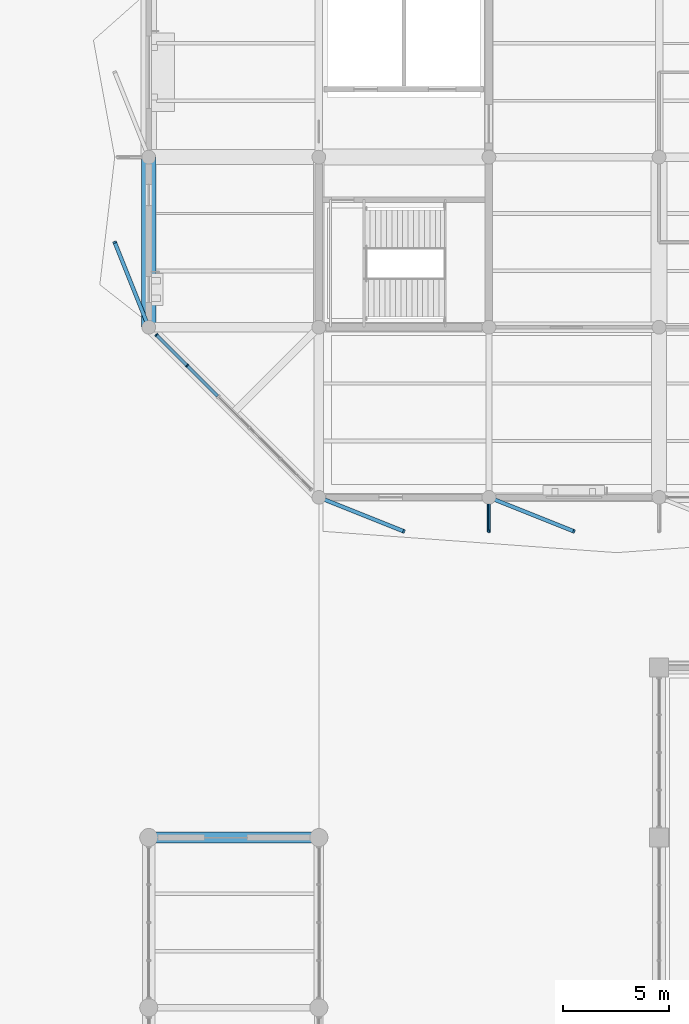
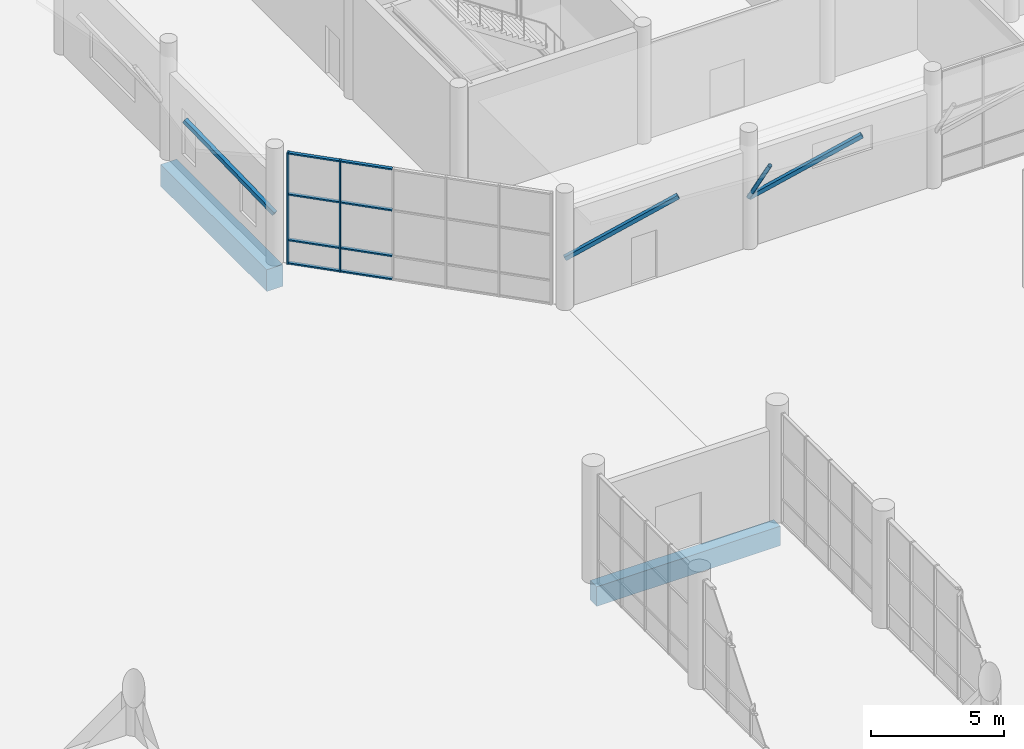
# One storey, part 44 of 123: 14 members, 2 beams, 1 element without a shape of its own.
"""IFC4 building model written with IfcOpenShell, lengths in metres."""

from ifc_helpers import new_model, si_unit, direction, frame, origin, origin_2d, place, context, subcontext, project, spatial, rectangle, hollow_rectangle, hollow_circle, extrude, material, material_profile, profile_set, type_object, element, aggregate, save


model = new_model("IFC4")

# Units and contexts
model_context = context("Model", 3, precision=1e-05, world=origin(), true_north=direction((0.0, 1.0)))
body_context = subcontext(model_context, "Body", "Model", "MODEL_VIEW")
ifc_project = project(units=[si_unit("LENGTHUNIT", "METRE"), si_unit("AREAUNIT", "SQUARE_METRE"), si_unit("VOLUMEUNIT", "CUBIC_METRE"), si_unit("PLANEANGLEUNIT", "RADIAN"), si_unit("MASSUNIT", "GRAM", prefix="KILO")], contexts=[model_context])

# Site, building, storey
site_placement = place(None, origin())
site = spatial("IfcSite", under=ifc_project, at=site_placement, CompositionType="ELEMENT")
building_placement = place(site_placement, origin())
building = spatial("IfcBuilding", under=site, at=building_placement, Name="Tenunan Teduh Sports Hall", CompositionType="ELEMENT")
storey_placement = place(building_placement, origin())
storey = spatial("IfcBuildingStorey", under=building, at=storey_placement, Name="L00", CompositionType="ELEMENT", Elevation=0.0)

# Beams
ifc_material_1 = material(Name="Concrete C40/50", Category="concrete")
ifc_material_profile_1 = material_profile(ifc_material_1, rectangle(XDim=0.5, YDim=0.89990234375, at=origin_2d()), Name="RCB 500x900")
ifc_profile_set_1 = profile_set([ifc_material_profile_1], Name="Concrete C40/50")
beam_type_1 = type_object("IfcBeamType", Name="BM-RC-500x900", PredefinedType="BEAM", material=ifc_profile_set_1)
beam_1_placement = place(storey_placement, frame((98.0, 70.0, -0.72998046875), z_axis=(1.0, 0.0, 0.0), x_axis=(0.0, 1.0, 0.0)))
element("IfcBeam", 1, at=beam_1_placement, inside=storey, type_object=beam_type_1, Name="BM-B-15-L00-0672", PredefinedType="BEAM", context=body_context, shape_type="SweptSolid", body=[
    extrude(rectangle(XDim=0.5, YDim=0.89990234375, at=origin_2d()), origin(), (0.0, 0.0, 1.0), 8.0),
])
ifc_material_2 = material(Name="Concrete C40/50", Category="concrete")
ifc_material_profile_2 = material_profile(ifc_material_2, rectangle(XDim=0.699951171875, YDim=1.0, at=origin_2d()), Name="RCB 700x1000")
ifc_profile_set_2 = profile_set([ifc_material_profile_2], Name="Concrete C40/50")
beam_type_2 = type_object("IfcBeamType", Name="BM-RC-700x1000", PredefinedType="SPANDREL", material=ifc_profile_set_2)
beam_2_placement = place(storey_placement, frame((98.0, 94.0, -0.780029296875), z_axis=(0.0, 1.0, 0.0), x_axis=(-1.0, 0.0, 0.0)))
element("IfcBeam", 2, at=beam_2_placement, inside=storey, type_object=beam_type_2, Name="BM-B-19-L00-0832", PredefinedType="SPANDREL", context=body_context, shape_type="SweptSolid", body=[
    extrude(rectangle(XDim=0.699951171875, YDim=1.0, at=origin_2d()), origin(), (0.0, 0.0, 1.0), 8.0),
])

# Curtain wall, members
ifc_material_3 = material(Name="Anodised aluminium", Category="aluminium")
curtain_wall_type = type_object("IfcCurtainWallType", Name="CW-UNIT-1", PredefinedType="NOTDEFINED", material=ifc_material_3)
curtain_wall_placement = place(storey_placement, origin())
curtain_wall = element("IfcCurtainWall", 3, at=curtain_wall_placement, inside=storey, type_object=curtain_wall_type, Name="CW-CWM-175-L00-242", PredefinedType="NOTDEFINED")
ifc_material_4 = material(Name="Anodised aluminium", Category="aluminium")
ifc_material_profile_3 = material_profile(ifc_material_4, rectangle(XDim=0.06494140625, YDim=0.175048828125, at=origin_2d()), Name="CWM 65x175")
ifc_profile_set_3 = profile_set([ifc_material_profile_3], Name="Anodised aluminium")
member_type_1 = type_object("IfcMemberType", Name="CWM-175", PredefinedType="MULLION", material=ifc_profile_set_3)
member_1_placement = place(storey_placement, frame((98.3642578125, 93.6357421875, 0.0), z_axis=(0.0, 0.0, 1.0), x_axis=(-0.707106781187, 0.707106781187, 0.0)))
member_1 = element("IfcMember", 4, at=member_1_placement, type_object=member_type_1, Name="CW-01 mullion 1", PredefinedType="MULLION", context=body_context, shape_type="SweptSolid", body=[
    extrude(rectangle(XDim=0.06494140625, YDim=0.175048828125, at=origin_2d()), origin(), (0.0, 0.0, 1.0), 5.1201171875),
])
member_2_placement = place(storey_placement, frame((99.8046875, 92.1953125, 0.0), z_axis=(0.0, 0.0, 1.0), x_axis=(-0.707106781187, 0.707106781187, 0.0)))
member_2 = element("IfcMember", 5, at=member_2_placement, type_object=member_type_1, Name="CW-01 mullion 2", PredefinedType="MULLION", context=body_context, shape_type="SweptSolid", body=[
    extrude(rectangle(XDim=0.06494140625, YDim=0.175048828125, at=origin_2d()), origin(), (0.0, 0.0, 1.0), 5.1201171875),
])
ifc_material_5 = material(Name="Anodised aluminium", Category="aluminium")
ifc_material_profile_4 = material_profile(ifc_material_5, rectangle(XDim=0.06494140625, YDim=0.139892578125, at=origin_2d()), Name="CWT 65x140")
ifc_profile_set_4 = profile_set([ifc_material_profile_4], Name="Anodised aluminium")
member_type_2 = type_object("IfcMemberType", Name="CWT-150", PredefinedType="USERDEFINED", material=ifc_profile_set_4)
member_3_placement = place(storey_placement, frame((98.38720703125, 93.61279296875, 0.032470703125), z_axis=(0.707106781187, -0.707106781187, 0.0), x_axis=(0.0, 0.0, 1.0)))
member_3 = element("IfcMember", 6, at=member_3_placement, type_object=member_type_2, Name="CW-01 transom 1.1", ObjectType="TRANSOM", PredefinedType="USERDEFINED", context=body_context, shape_type="SweptSolid", body=[
    extrude(rectangle(XDim=0.06494140625, YDim=0.139892578125, at=origin_2d()), origin(), (0.0, 0.0, 1.0), 1.97216796875),
])
member_4_placement = place(storey_placement, frame((98.38720703125, 93.61279296875, 1.10009765625), z_axis=(0.707106781187, -0.707106781187, 0.0), x_axis=(0.0, 0.0, 1.0)))
member_4 = element("IfcMember", 7, at=member_4_placement, type_object=member_type_2, Name="CW-01 transom 1.2", ObjectType="TRANSOM", PredefinedType="USERDEFINED", context=body_context, shape_type="SweptSolid", body=[
    extrude(rectangle(XDim=0.06494140625, YDim=0.139892578125, at=origin_2d()), origin(), (0.0, 0.0, 1.0), 1.97216796875),
])
member_5_placement = place(storey_placement, frame((98.38720703125, 93.61279296875, 3.199951171875), z_axis=(0.707106781187, -0.707106781187, 0.0), x_axis=(0.0, 0.0, 1.0)))
member_5 = element("IfcMember", 8, at=member_5_placement, type_object=member_type_2, Name="CW-01 transom 1.3", ObjectType="TRANSOM", PredefinedType="USERDEFINED", context=body_context, shape_type="SweptSolid", body=[
    extrude(rectangle(XDim=0.06494140625, YDim=0.139892578125, at=origin_2d()), origin(), (0.0, 0.0, 1.0), 1.97216796875),
])
member_6_placement = place(storey_placement, frame((98.38720703125, 93.61279296875, 5.08740234375), z_axis=(0.707106781187, -0.707106781187, 0.0), x_axis=(0.0, 0.0, 1.0)))
member_6 = element("IfcMember", 9, at=member_6_placement, type_object=member_type_2, Name="CW-01 transom 1.4", ObjectType="TRANSOM", PredefinedType="USERDEFINED", context=body_context, shape_type="SweptSolid", body=[
    extrude(rectangle(XDim=0.06494140625, YDim=0.139892578125, at=origin_2d()), origin(), (0.0, 0.0, 1.0), 1.97216796875),
])
member_7_placement = place(storey_placement, frame((99.827880859375, 92.172119140625, 0.032470703125), z_axis=(0.707106781187, -0.707106781187, 0.0), x_axis=(0.0, 0.0, 1.0)))
member_7 = element("IfcMember", 10, at=member_7_placement, type_object=member_type_2, Name="CW-01 transom 2.1", ObjectType="TRANSOM", PredefinedType="USERDEFINED", context=body_context, shape_type="SweptSolid", body=[
    extrude(rectangle(XDim=0.06494140625, YDim=0.139892578125, at=origin_2d()), origin(), (0.0, 0.0, 1.0), 2.004638671875),
])
member_8_placement = place(storey_placement, frame((99.827880859375, 92.172119140625, 1.10009765625), z_axis=(0.707106781187, -0.707106781187, 0.0), x_axis=(0.0, 0.0, 1.0)))
member_8 = element("IfcMember", 11, at=member_8_placement, type_object=member_type_2, Name="CW-01 transom 2.2", ObjectType="TRANSOM", PredefinedType="USERDEFINED", context=body_context, shape_type="SweptSolid", body=[
    extrude(rectangle(XDim=0.06494140625, YDim=0.139892578125, at=origin_2d()), origin(), (0.0, 0.0, 1.0), 2.004638671875),
])
member_9_placement = place(storey_placement, frame((99.827880859375, 92.172119140625, 3.199951171875), z_axis=(0.707106781187, -0.707106781187, 0.0), x_axis=(0.0, 0.0, 1.0)))
member_9 = element("IfcMember", 12, at=member_9_placement, type_object=member_type_2, Name="CW-01 transom 2.3", ObjectType="TRANSOM", PredefinedType="USERDEFINED", context=body_context, shape_type="SweptSolid", body=[
    extrude(rectangle(XDim=0.06494140625, YDim=0.139892578125, at=origin_2d()), origin(), (0.0, 0.0, 1.0), 2.004638671875),
])
member_10_placement = place(storey_placement, frame((99.827880859375, 92.172119140625, 5.08740234375), z_axis=(0.707106781187, -0.707106781187, 0.0), x_axis=(0.0, 0.0, 1.0)))
member_10 = element("IfcMember", 13, at=member_10_placement, type_object=member_type_2, Name="CW-01 transom 2.4", ObjectType="TRANSOM", PredefinedType="USERDEFINED", context=body_context, shape_type="SweptSolid", body=[
    extrude(rectangle(XDim=0.06494140625, YDim=0.139892578125, at=origin_2d()), origin(), (0.0, 0.0, 1.0), 2.004638671875),
])
aggregate(curtain_wall, [member_1, member_2, member_3, member_4, member_5, member_6, member_7, member_8, member_9, member_10])

# Members
ifc_material_6 = material(Name="Steel S355", Category="steel")
ifc_material_profile_5 = material_profile(ifc_material_6, hollow_circle(Radius=0.084228515625, WallThickness=0.008056640625, at=origin_2d()), Name="CHS 168.3x8.0")
ifc_profile_set_5 = profile_set([ifc_material_profile_5], Name="Steel S355")
member_type_3 = type_object("IfcMemberType", Name="MEM-BR-CHS168", PredefinedType="BRACE", material=ifc_profile_set_5)
member_11_placement = place(storey_placement, frame((114.0, 86.0, 2.199951171875), z_axis=(0.0, -0.551511423487, 0.834167339186), x_axis=(1.0, 0.0, 0.0)))
element("IfcMember", 14, at=member_11_placement, inside=storey, type_object=member_type_3, Name="MEM-GD-04-L00-1149", PredefinedType="BRACE", context=body_context, shape_type="SweptSolid", body=[
    extrude(hollow_circle(Radius=0.084228515625, WallThickness=0.008056640625, at=origin_2d()), origin(), (0.0, 0.0, 1.0), 2.9013671875),
])
ifc_material_7 = material(Name="Steel S355", Category="steel")
ifc_material_profile_6 = material_profile(ifc_material_7, hollow_rectangle(XDim=0.179931640625, YDim=0.179931640625, WallThickness=0.010009765625, at=origin_2d()), Name="SHS 180x180x10.0")
ifc_profile_set_6 = profile_set([ifc_material_profile_6], Name="Steel S355")
member_type_4 = type_object("IfcMemberType", Name="MEM-ST-SHS180", PredefinedType="STRUT", material=ifc_profile_set_6)
for number, where, z_axis, x_axis, name in (
    (15, (106.0, 86.0, 2.199951171875), (0.809485829099, -0.323814094477, 0.489772523429), (0.37141021739, 0.928468874232, 0.0), "MEM-VS-03-L00-1148"),
    (16, (114.0, 86.0, 2.199951171875), (0.809485829099, -0.323814094477, 0.489772523429), (0.37141021739, 0.928468874232, 0.0), "MEM-VS-03-L00-1152"),
    (17, (98.0, 94.0, 2.199951171875), (-0.323814094477, 0.809485829099, 0.489772523429), (-0.928468874232, -0.37141021739, 0.0), "MEM-VS-03-L00-1170"),
):
    element("IfcMember", number, at=place(storey_placement, frame(where, z_axis=z_axis, x_axis=x_axis)), inside=storey, type_object=member_type_4, Name=name, PredefinedType="STRUT", context=body_context, shape_type="SweptSolid", body=[
        extrude(hollow_rectangle(XDim=0.179931640625, YDim=0.179931640625, WallThickness=0.010009765625, at=origin_2d()), origin(), (0.0, 0.0, 1.0), 4.94140625),
    ])

save(model, "model.ifc")
